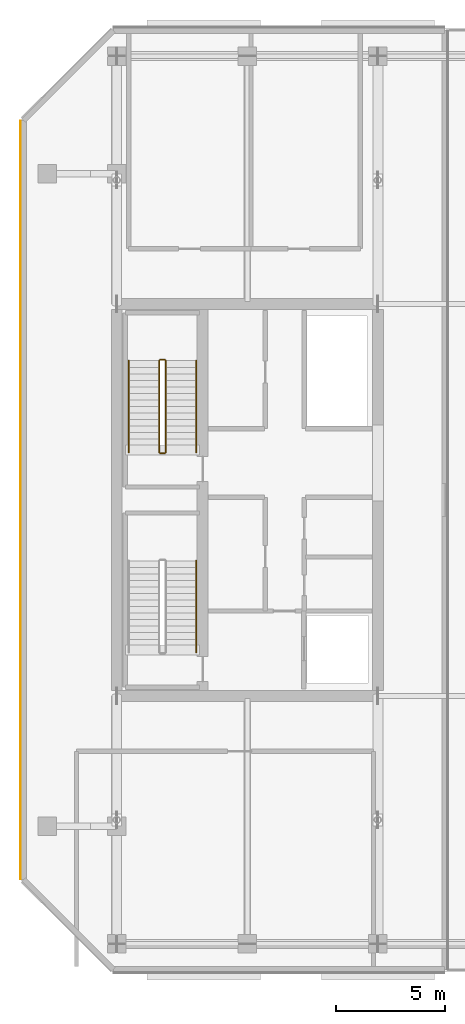
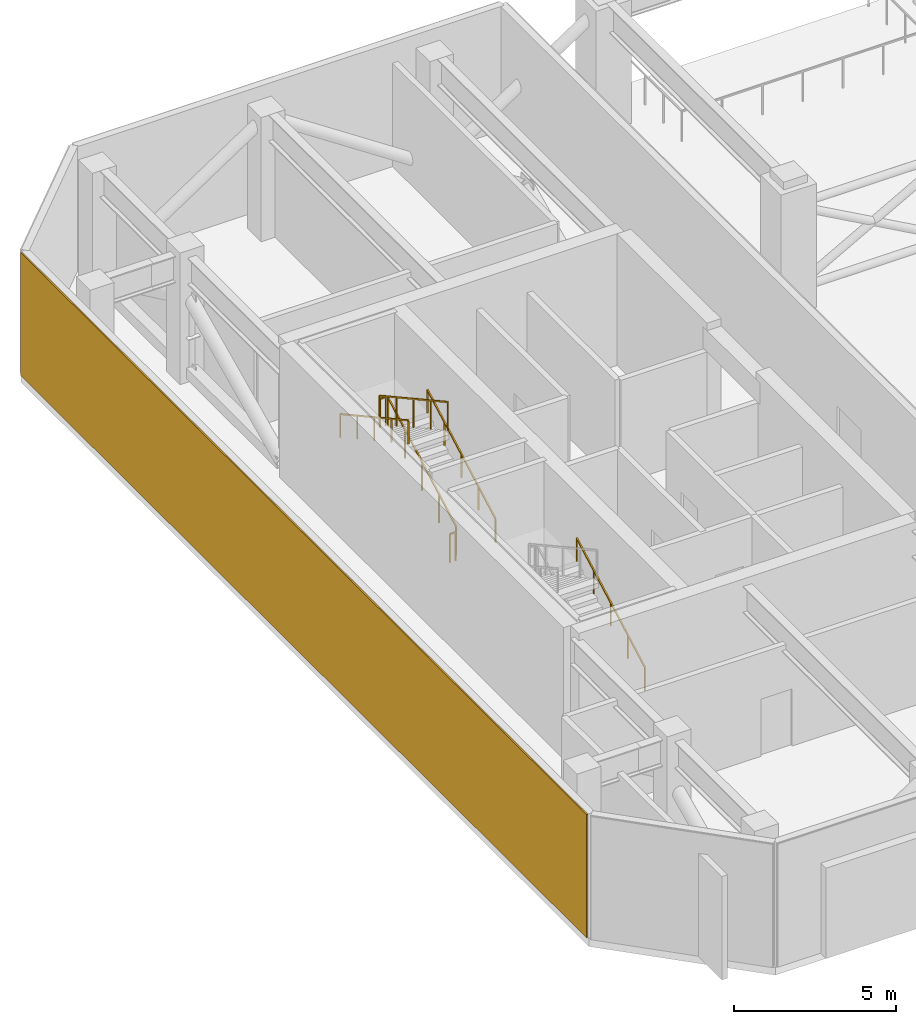
# One storey, part 15 of 18: 7 railings, 1 covering.
"""IFC4 building model written with IfcOpenShell, lengths in metres."""

from ifc_helpers import new_model, si_unit, direction, frame, origin, origin_2d, place, context, subcontext, project, spatial, rectangle, extrude, material, layer, layer_set, type_object, element, save


model = new_model("IFC4")

# Units and contexts
model_context = context("Model", 3, precision=1e-05, world=origin(), true_north=direction((0.0, 1.0)))
body_context = subcontext(model_context, "Body", "Model", "MODEL_VIEW")
ifc_project = project(units=[si_unit("LENGTHUNIT", "METRE"), si_unit("AREAUNIT", "SQUARE_METRE"), si_unit("VOLUMEUNIT", "CUBIC_METRE"), si_unit("PLANEANGLEUNIT", "RADIAN"), si_unit("MASSUNIT", "GRAM", prefix="KILO")], contexts=[model_context])

# Site, building, storey
site_placement = place(None, origin())
site = spatial("IfcSite", under=ifc_project, at=site_placement, CompositionType="ELEMENT")
building_placement = place(site_placement, origin())
building = spatial("IfcBuilding", under=site, at=building_placement, Name="Tanjung Sevakor Pilgrim Tower", CompositionType="ELEMENT")
storey_placement = place(building_placement, frame((0.0, 0.0, 172.919921875)))
storey = spatial("IfcBuildingStorey", under=building, at=storey_placement, Name="L48", CompositionType="ELEMENT", Elevation=172.919921875)

# Covering
ifc_material_1 = material(Name="Reconstructed Limestone Cladding", Category="masonry")
ifc_layer = layer(ifc_material_1, 0.044921875)
ifc_layer_set = layer_set([ifc_layer], Name="COV-CLAD-LIMESTONE")
covering_type = type_object("IfcCoveringType", Name="COV-CLAD-LIMESTONE", PredefinedType="CLADDING", material=ifc_layer_set)
covering_placement = place(storey_placement, frame((19.577392578125, 33.60009765625, 0.02001953125), z_axis=(0.0, 0.0, 1.0), x_axis=(0.0, -1.0, 0.0)))
element("IfcCovering", 1, at=covering_placement, inside=storey, type_object=covering_type, Name="L48 Warm Limestone Wall Cladding EW-RFW-L48-5", PredefinedType="CLADDING", context=body_context, shape_type="SweptSolid", body=[
    extrude(rectangle(XDim=34.8564453125, YDim=0.044921875, at=origin_2d()), origin(), (0.0, 0.0, 1.0), 4.6298828125),
])

# Railings
ifc_material_2 = material(Name="Steel S355J2", Category="steel")
railing_type_1 = type_object("IfcRailingType", Name="RL-STAIR-GUARD", PredefinedType="GUARDRAIL", material=ifc_material_2)
railing_1_placement = place(storey_placement, frame((26.25, 35.800048828125, 0.1650390625)))
element("IfcRailing", 2, at=railing_1_placement, inside=storey, type_object=railing_type_1, Name="L48 TS-W2 stair guard 1", PredefinedType="GUARDRAIL", context=body_context, shape_type="SweptSolid", body=[
    extrude(rectangle(XDim=0.0479, YDim=0.0479), frame((0.0, 0.0, 1.076171875), z_axis=(0.0, 0.876208380975, 0.481932436249), x_axis=(-1.0, 0.0, 0.0)), (0.0, 0.0, 1.0), 4.793212890625),
    extrude(rectangle(XDim=0.042, YDim=0.042), origin(), (0.0, 0.0, 1.0), 1.052001953125),
    extrude(rectangle(XDim=0.042, YDim=0.042), frame((0.0, 1.050048828125, 0.57763671875)), (0.0, 0.0, 1.0), 1.052001953125),
    extrude(rectangle(XDim=0.042, YDim=0.042), frame((0.0, 2.10009765625, 1.155029296875)), (0.0, 0.0, 1.0), 1.052001953125),
    extrude(rectangle(XDim=0.042, YDim=0.042), frame((0.0, 3.14990234375, 1.732421875)), (0.0, 0.0, 1.0), 1.052001953125),
    extrude(rectangle(XDim=0.042, YDim=0.042), frame((0.0, 4.199951171875, 2.31005859375)), (0.0, 0.0, 1.0), 1.052001953125),
])
railing_2_placement = place(storey_placement, frame((26.199951171875, 40.050048828125, 2.47509765625)))
element("IfcRailing", 3, at=railing_2_placement, inside=storey, type_object=railing_type_1, Name="L48 TS-W2 stair guard 2", PredefinedType="GUARDRAIL", context=body_context, shape_type="SweptSolid", body=[
    extrude(rectangle(XDim=0.0479, YDim=0.0479), frame((0.0, 0.0, 1.076171875), z_axis=(-1.0, 0.0, 0.0), x_axis=(0.0, -1.0, 0.0)), (0.0, 0.0, 1.0), 0.199951171875),
    extrude(rectangle(XDim=0.042, YDim=0.042), origin(), (0.0, 0.0, 1.0), 1.052001953125),
    extrude(rectangle(XDim=0.042, YDim=0.042), frame((-0.199951171875, 0.0, 0.0)), (0.0, 0.0, 1.0), 1.052001953125),
])
railing_3_placement = place(storey_placement, frame((25.949951171875, 40.0, 2.64013671875)))
element("IfcRailing", 4, at=railing_3_placement, inside=storey, type_object=railing_type_1, Name="L48 TS-W2 stair guard 3", PredefinedType="GUARDRAIL", context=body_context, shape_type="SweptSolid", body=[
    extrude(rectangle(XDim=0.0479, YDim=0.0479), frame((0.0, 0.0, 1.076171875), z_axis=(0.0, -0.876208380975, 0.481932436249), x_axis=(1.0, 0.0, 0.0)), (0.0, 0.0, 1.0), 4.793212890625),
    extrude(rectangle(XDim=0.042, YDim=0.042), origin(), (0.0, 0.0, 1.0), 1.052001953125),
    extrude(rectangle(XDim=0.042, YDim=0.042), frame((0.0, -1.050048828125, 0.57763671875)), (0.0, 0.0, 1.0), 1.052001953125),
    extrude(rectangle(XDim=0.042, YDim=0.042), frame((0.0, -2.10009765625, 1.155029296875)), (0.0, 0.0, 1.0), 1.052001953125),
    extrude(rectangle(XDim=0.042, YDim=0.042), frame((0.0, -3.14990234375, 1.732421875)), (0.0, 0.0, 1.0), 1.052001953125),
    extrude(rectangle(XDim=0.042, YDim=0.042), frame((0.0, -4.199951171875, 2.31005859375)), (0.0, 0.0, 1.0), 1.052001953125),
])
railing_4_placement = place(storey_placement, frame((26.199951171875, 35.75, 0.0)))
element("IfcRailing", 5, at=railing_4_placement, inside=storey, type_object=railing_type_1, Name="L48 TS-W2 stair guard 4", PredefinedType="GUARDRAIL", context=body_context, shape_type="SweptSolid", body=[
    extrude(rectangle(XDim=0.0479, YDim=0.0479), frame((0.0, 0.0, 1.076171875), z_axis=(-1.0, 0.0, 0.0), x_axis=(0.0, -1.0, 0.0)), (0.0, 0.0, 1.0), 0.199951171875),
    extrude(rectangle(XDim=0.042, YDim=0.042), origin(), (0.0, 0.0, 1.0), 1.052001953125),
    extrude(rectangle(XDim=0.042, YDim=0.042), frame((-0.199951171875, 0.0, 0.0)), (0.0, 0.0, 1.0), 1.052001953125),
])
ifc_material_3 = material(Name="Steel S355J2", Category="steel")
railing_type_2 = type_object("IfcRailingType", Name="RL-STAIR-HAND", PredefinedType="HANDRAIL", material=ifc_material_3)
for number, where, name in (
    (6, (27.64990234375, 26.60009765625, 0.1650390625), "L48 TS-W1 stair handrail 1"),
    (7, (27.64990234375, 35.800048828125, 0.1650390625), "L48 TS-W2 stair handrail 1"),
):
    element("IfcRailing", number, at=place(storey_placement, frame(where)), inside=storey, type_object=railing_type_2, Name=name, PredefinedType="HANDRAIL", context=body_context, shape_type="SweptSolid", body=[
        extrude(rectangle(XDim=0.0479, YDim=0.0479), frame((0.0, 0.0, 0.8759765625), z_axis=(0.0, 0.876208380975, 0.481932436249), x_axis=(-1.0, 0.0, 0.0)), (0.0, 0.0, 1.0), 4.793212890625),
        extrude(rectangle(XDim=0.042, YDim=0.042), origin(), (0.0, 0.0, 1.0), 0.851806640625),
        extrude(rectangle(XDim=0.042, YDim=0.042), frame((0.0, 1.050048828125, 0.57763671875)), (0.0, 0.0, 1.0), 0.851806640625),
        extrude(rectangle(XDim=0.042, YDim=0.042), frame((0.0, 2.10009765625, 1.155029296875)), (0.0, 0.0, 1.0), 0.851806640625),
        extrude(rectangle(XDim=0.042, YDim=0.042), frame((0.0, 3.14990234375, 1.732421875)), (0.0, 0.0, 1.0), 0.851806640625),
        extrude(rectangle(XDim=0.042, YDim=0.042), frame((0.0, 4.199951171875, 2.31005859375)), (0.0, 0.0, 1.0), 0.851806640625),
    ])
railing_5_placement = place(storey_placement, frame((24.550048828125, 40.0, 2.64013671875)))
element("IfcRailing", 8, at=railing_5_placement, inside=storey, type_object=railing_type_2, Name="L48 TS-W2 stair handrail 2", PredefinedType="HANDRAIL", context=body_context, shape_type="SweptSolid", body=[
    extrude(rectangle(XDim=0.0479, YDim=0.0479), frame((0.0, 0.0, 0.8759765625), z_axis=(0.0, -0.876208380975, 0.481932436249), x_axis=(1.0, 0.0, 0.0)), (0.0, 0.0, 1.0), 4.793212890625),
    extrude(rectangle(XDim=0.042, YDim=0.042), origin(), (0.0, 0.0, 1.0), 0.851806640625),
    extrude(rectangle(XDim=0.042, YDim=0.042), frame((0.0, -1.050048828125, 0.57763671875)), (0.0, 0.0, 1.0), 0.851806640625),
    extrude(rectangle(XDim=0.042, YDim=0.042), frame((0.0, -2.10009765625, 1.155029296875)), (0.0, 0.0, 1.0), 0.851806640625),
    extrude(rectangle(XDim=0.042, YDim=0.042), frame((0.0, -3.14990234375, 1.732421875)), (0.0, 0.0, 1.0), 0.851806640625),
    extrude(rectangle(XDim=0.042, YDim=0.042), frame((0.0, -4.199951171875, 2.31005859375)), (0.0, 0.0, 1.0), 0.851806640625),
])

save(model, "model.ifc")
